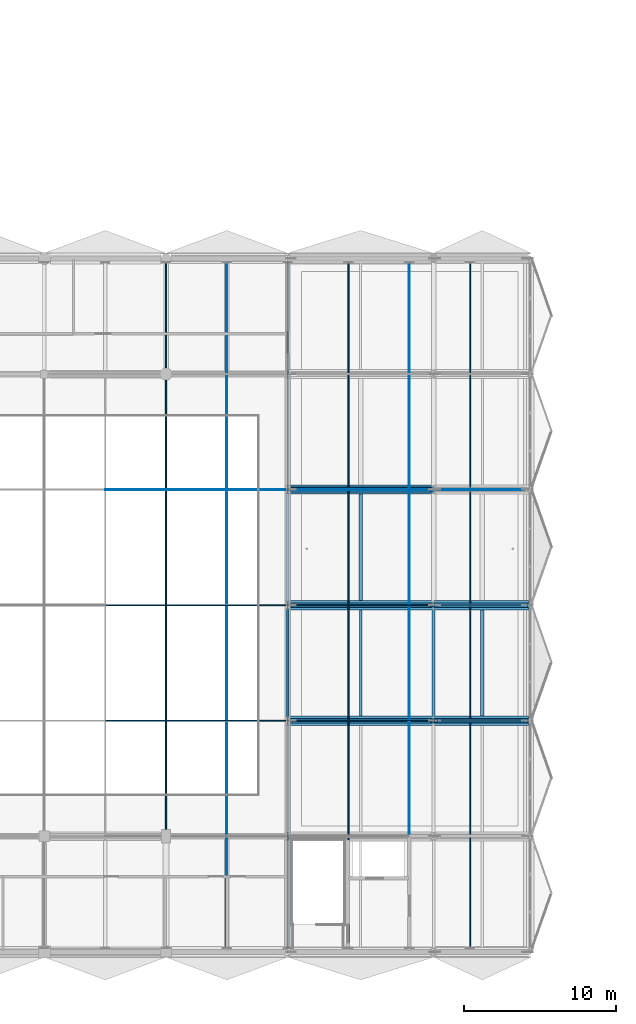
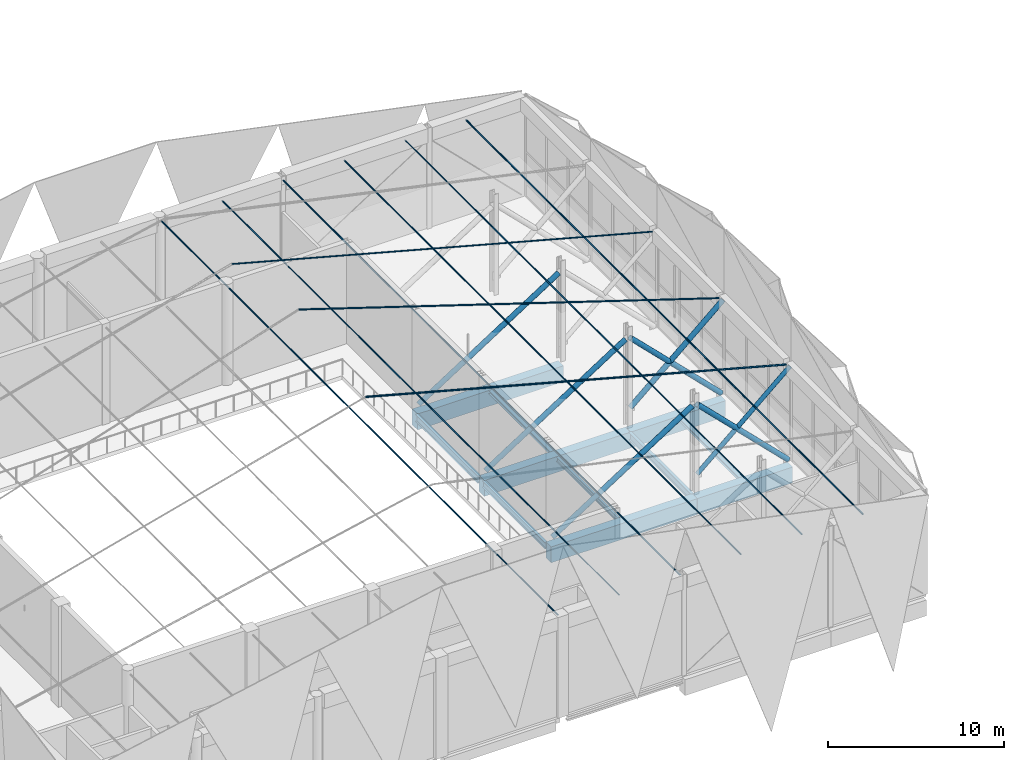
# One storey, part 8 of 46: 16 members, 11 beams.
"""IFC4 building model written with IfcOpenShell, lengths in metres."""

from ifc_helpers import new_model, si_unit, direction, frame, origin, origin_2d, place, context, subcontext, project, spatial, rectangle, circle, hollow_circle, i_section, extrude, material, material_profile, profile_set, type_object, element, save


model = new_model("IFC4")

# Units and contexts
model_context = context("Model", 3, precision=1e-05, world=origin(), true_north=direction((0.0, 1.0)))
body_context = subcontext(model_context, "Body", "Model", "MODEL_VIEW")
ifc_project = project(units=[si_unit("LENGTHUNIT", "METRE"), si_unit("AREAUNIT", "SQUARE_METRE"), si_unit("VOLUMEUNIT", "CUBIC_METRE"), si_unit("PLANEANGLEUNIT", "RADIAN"), si_unit("MASSUNIT", "GRAM", prefix="KILO")], contexts=[model_context])

# Site, building, storey
site_placement = place(None, origin())
site = spatial("IfcSite", under=ifc_project, at=site_placement, CompositionType="ELEMENT")
building_placement = place(site_placement, origin())
building = spatial("IfcBuilding", under=site, at=building_placement, Name="Khelvaren Railside Concert Hall", CompositionType="ELEMENT")
storey_placement = place(building_placement, frame((0.0, 0.0, 19.800048828125)))
storey = spatial("IfcBuildingStorey", under=building, at=storey_placement, Name="L04", CompositionType="ELEMENT", Elevation=19.800048828125)

# Beams
ifc_material_1 = material(Name="Steel S355", Category="steel")
ifc_material_profile_1 = material_profile(ifc_material_1, i_section(OverallWidth=0.199951171875, OverallDepth=0.5, WebThickness=0.01025390625, FlangeThickness=0.01611328125, FilletRadius=0.02099609375, at=origin_2d()), Name="IPE 500")
ifc_profile_set_1 = profile_set([ifc_material_profile_1], Name="Steel S355")
beam_type_1 = type_object("IfcBeamType", Name="BM62", PredefinedType="BEAM", material=ifc_profile_set_1)
beam_1_placement = place(storey_placement, frame((40.0, 23.050048828125, -0.52001953125), z_axis=(0.0, 1.0, 0.0), x_axis=(-1.0, 0.0, 0.0)))
element("IfcBeam", 1, at=beam_1_placement, inside=storey, type_object=beam_type_1, Name="V1 L04 Beam Y6.4", PredefinedType="BEAM", context=body_context, shape_type="SweptSolid", body=[
    extrude(i_section(OverallWidth=0.199951171875, OverallDepth=0.5, WebThickness=0.01025390625, FlangeThickness=0.01611328125, FilletRadius=0.02099609375, at=origin_2d()), origin(), (0.0, 0.0, 1.0), 7.099853515625),
])
beam_2_placement = place(storey_placement, frame((49.60009765625, 15.449951171875, -0.52001953125), z_axis=(0.0, 1.0, 0.0), x_axis=(-1.0, 0.0, 0.0)))
element("IfcBeam", 2, at=beam_2_placement, inside=storey, type_object=beam_type_1, Name="V1 L04 Beam Y7.3", PredefinedType="BEAM", context=body_context, shape_type="SweptSolid", body=[
    extrude(i_section(OverallWidth=0.199951171875, OverallDepth=0.5, WebThickness=0.01025390625, FlangeThickness=0.01611328125, FilletRadius=0.02099609375, at=origin_2d()), origin(), (0.0, 0.0, 1.0), 7.10009765625),
])
ifc_material_profile_2 = material_profile(ifc_material_1, i_section(OverallWidth=0.18994140625, OverallDepth=0.449951171875, WebThickness=0.009521484375, FlangeThickness=0.0146484375, FilletRadius=0.02099609375, at=origin_2d()), Name="IPE 450")
ifc_profile_set_2 = profile_set([ifc_material_profile_2], Name="Steel S355")
beam_type_2 = type_object("IfcBeamType", Name="BM95", PredefinedType="BEAM", material=ifc_profile_set_2)
beam_3_placement = place(storey_placement, frame((40.0, 15.449951171875, -0.4951171875), z_axis=(0.0, 1.0, 0.0), x_axis=(-1.0, 0.0, 0.0)))
element("IfcBeam", 3, at=beam_3_placement, inside=storey, type_object=beam_type_2, Name="V1 L04 Beam Y6.3", PredefinedType="BEAM", context=body_context, shape_type="SweptSolid", body=[
    extrude(i_section(OverallWidth=0.18994140625, OverallDepth=0.449951171875, WebThickness=0.009521484375, FlangeThickness=0.0146484375, FilletRadius=0.02099609375, at=origin_2d()), origin(), (0.0, 0.0, 1.0), 7.10009765625),
])

# Members
ifc_material_profile_3 = material_profile(ifc_material_1, hollow_circle(Radius=0.161865234375, WallThickness=0.01611328125, at=origin_2d()), Name="CHS 323.9x16")
ifc_profile_set_3 = profile_set([ifc_material_profile_3], Name="Steel S355")
member_type_1 = type_object("IfcMemberType", Name="BR78", PredefinedType="BRACE", material=ifc_profile_set_3)
member_1_placement = place(storey_placement, frame((49.75, 15.199951171875, 6.050048828125), z_axis=(0.710072403589, 0.0, -0.704128668399), x_axis=(0.0, 1.0, 0.0)))
element("IfcMember", 4, at=member_1_placement, inside=storey, type_object=member_type_1, Name="V1 L04 Plaza Cantilever Truss Diagonal 3A", PredefinedType="BRACE", context=body_context, shape_type="SweptSolid", body=[
    extrude(hollow_circle(Radius=0.161865234375, WallThickness=0.01611328125, at=origin_2d()), origin(), (0.0, 0.0, 1.0), 8.37939453125),
])
member_2_placement = place(storey_placement, frame((40.25, 15.199951171875, 0.14990234375), z_axis=(0.841765139868, 0.0, 0.539843911981), x_axis=(0.0, 1.0, 0.0)))
element("IfcMember", 5, at=member_2_placement, inside=storey, type_object=member_type_1, Name="V1 L04 Plaza Cantilever Truss Backspan Diagonal 3B", PredefinedType="BRACE", context=body_context, shape_type="SweptSolid", body=[
    extrude(hollow_circle(Radius=0.161865234375, WallThickness=0.01611328125, at=origin_2d()), origin(), (0.0, 0.0, 1.0), 10.929443359375),
])
member_3_placement = place(storey_placement, frame((49.75, 22.800048828125, 6.050048828125), z_axis=(0.710072403589, 0.0, -0.704128668399), x_axis=(0.0, 1.0, 0.0)))
element("IfcMember", 6, at=member_3_placement, inside=storey, type_object=member_type_1, Name="V1 L04 Plaza Cantilever Truss Diagonal 4A", PredefinedType="BRACE", context=body_context, shape_type="SweptSolid", body=[
    extrude(hollow_circle(Radius=0.161865234375, WallThickness=0.01611328125, at=origin_2d()), origin(), (0.0, 0.0, 1.0), 8.37939453125),
])
for number, where, z_axis, x_axis, name in (
    (7, (40.25, 22.800048828125, 0.14990234375), (0.841765139868, 0.0, 0.539843911981), (0.0, 1.0, 0.0), "V1 L04 Plaza Cantilever Truss Backspan Diagonal 4B"),
    (8, (40.25, 30.39990234375, 0.14990234375), (0.841765139868, 0.0, 0.539843911981), (0.0, 1.0, 0.0), "V1 L04 Plaza Cantilever Truss Backspan Diagonal 5B"),
):
    element("IfcMember", number, at=place(storey_placement, frame(where, z_axis=z_axis, x_axis=x_axis)), inside=storey, type_object=member_type_1, Name=name, PredefinedType="BRACE", context=body_context, shape_type="SweptSolid", body=[
        extrude(hollow_circle(Radius=0.161865234375, WallThickness=0.01611328125, at=origin_2d()), origin(), (0.0, 0.0, 1.0), 10.929443359375),
    ])

# Beams
ifc_material_2 = material(Name="Concrete C40/50", Category="concrete")
ifc_material_profile_4 = material_profile(ifc_material_2, rectangle(XDim=0.60009765625, YDim=1.10009765625, at=origin_2d()), Name="RCB 600x1100")
ifc_profile_set_4 = profile_set([ifc_material_profile_4], Name="Concrete C40/50")
beam_type_3 = type_object("IfcBeamType", Name="GR15", PredefinedType="T_BEAM", material=ifc_profile_set_4)
beam_4_placement = place(storey_placement, frame((40.010009765625, 15.199951171875, -0.820068359375), z_axis=(1.0, 0.0, 0.0), x_axis=(0.0, 1.0, 0.0)))
element("IfcBeam", 9, at=beam_4_placement, inside=storey, type_object=beam_type_3, Name="V1 L04 Cantilever Backspan Girder 3", PredefinedType="T_BEAM", context=body_context, shape_type="SweptSolid", body=[
    extrude(rectangle(XDim=0.60009765625, YDim=1.10009765625, at=origin_2d()), origin(), (0.0, 0.0, 1.0), 9.580078125),
])
beam_5_placement = place(storey_placement, frame((49.610107421875, 15.199951171875, -0.820068359375), z_axis=(1.0, 0.0, 0.0), x_axis=(0.0, 1.0, 0.0)))
element("IfcBeam", 10, at=beam_5_placement, inside=storey, type_object=beam_type_3, Name="V1 L04 Arrival Cantilever Girder 3", PredefinedType="T_BEAM", context=body_context, shape_type="SweptSolid", body=[
    extrude(rectangle(XDim=0.60009765625, YDim=1.10009765625, at=origin_2d()), origin(), (0.0, 0.0, 1.0), 6.239990234375),
])
beam_6_placement = place(storey_placement, frame((40.010009765625, 22.800048828125, -0.820068359375), z_axis=(1.0, 0.0, 0.0), x_axis=(0.0, 1.0, 0.0)))
element("IfcBeam", 11, at=beam_6_placement, inside=storey, type_object=beam_type_3, Name="V1 L04 Cantilever Backspan Girder 4", PredefinedType="T_BEAM", context=body_context, shape_type="SweptSolid", body=[
    extrude(rectangle(XDim=0.60009765625, YDim=1.10009765625, at=origin_2d()), origin(), (0.0, 0.0, 1.0), 9.580078125),
])
beam_7_placement = place(storey_placement, frame((49.610107421875, 22.800048828125, -0.820068359375), z_axis=(1.0, 0.0, 0.0), x_axis=(0.0, 1.0, 0.0)))
element("IfcBeam", 12, at=beam_7_placement, inside=storey, type_object=beam_type_3, Name="V1 L04 Arrival Cantilever Girder 4", PredefinedType="T_BEAM", context=body_context, shape_type="SweptSolid", body=[
    extrude(rectangle(XDim=0.60009765625, YDim=1.10009765625, at=origin_2d()), origin(), (0.0, 0.0, 1.0), 6.239990234375),
])
beam_8_placement = place(storey_placement, frame((40.010009765625, 30.39990234375, -0.820068359375), z_axis=(1.0, 0.0, 0.0), x_axis=(0.0, 1.0, 0.0)))
element("IfcBeam", 13, at=beam_8_placement, inside=storey, type_object=beam_type_3, Name="V1 L04 Cantilever Backspan Girder 5", PredefinedType="T_BEAM", context=body_context, shape_type="SweptSolid", body=[
    extrude(rectangle(XDim=0.60009765625, YDim=1.10009765625, at=origin_2d()), origin(), (0.0, 0.0, 1.0), 9.580078125),
])
ifc_material_profile_5 = material_profile(ifc_material_1, i_section(OverallWidth=0.159912109375, OverallDepth=0.330078125, WebThickness=0.007568359375, FlangeThickness=0.011474609375, FilletRadius=0.01806640625, at=origin_2d()), Name="IPE 330")
ifc_profile_set_5 = profile_set([ifc_material_profile_5], Name="Steel S355")
beam_type_4 = type_object("IfcBeamType", Name="JS65", PredefinedType="JOIST", material=ifc_profile_set_5)
beam_9_placement = place(storey_placement, frame((44.800048828125, 15.5, -0.43505859375), z_axis=(0.0, 1.0, 0.0), x_axis=(-1.0, 0.0, 0.0)))
element("IfcBeam", 14, at=beam_9_placement, inside=storey, type_object=beam_type_4, Name="V1 L04 Secondary Joist 6.3", PredefinedType="JOIST", context=body_context, shape_type="SweptSolid", body=[
    extrude(i_section(OverallWidth=0.159912109375, OverallDepth=0.330078125, WebThickness=0.007568359375, FlangeThickness=0.011474609375, FilletRadius=0.01806640625, at=origin_2d()), origin(), (0.0, 0.0, 1.0), 7.0),
])
ifc_material_profile_6 = material_profile(ifc_material_1, i_section(OverallWidth=0.239990234375, OverallDepth=0.22998046875, WebThickness=0.007568359375, FlangeThickness=0.011962890625, FilletRadius=0.02099609375, at=origin_2d()), Name="HEA 240")
ifc_profile_set_6 = profile_set([ifc_material_profile_6], Name="Steel S355")
beam_type_5 = type_object("IfcBeamType", Name="JS76", PredefinedType="JOIST", material=ifc_profile_set_6)
for number, where, z_axis, x_axis, name in (
    (15, (44.800048828125, 23.10009765625, -0.385009765625), (0.0, 1.0, 0.0), (-1.0, 0.0, 0.0), "V1 L04 Secondary Joist 6.4"),
    (16, (52.800048828125, 15.5, -0.385009765625), (0.0, 1.0, 0.0), (-1.0, 0.0, 0.0), "V1 L04 Secondary Joist 7.3"),
):
    element("IfcBeam", number, at=place(storey_placement, frame(where, z_axis=z_axis, x_axis=x_axis)), inside=storey, type_object=beam_type_5, Name=name, PredefinedType="JOIST", context=body_context, shape_type="SweptSolid", body=[
        extrude(i_section(OverallWidth=0.239990234375, OverallDepth=0.22998046875, WebThickness=0.007568359375, FlangeThickness=0.011962890625, FilletRadius=0.02099609375, at=origin_2d()), origin(), (0.0, 0.0, 1.0), 7.0),
    ])

# Members
ifc_material_profile_7 = material_profile(ifc_material_1, hollow_circle(Radius=0.161865234375, WallThickness=0.01611328125, at=origin_2d()), Name="CHS 323.9x16")
ifc_profile_set_7 = profile_set([ifc_material_profile_7], Name="Steel S355")
member_type_2 = type_object("IfcMemberType", Name="RSU41", PredefinedType="STRUT", material=ifc_profile_set_7)
member_4_placement = place(storey_placement, frame((49.75, 22.800048828125, 1.199951171875), z_axis=(0.75181197221, 0.0, 0.65937755379), x_axis=(0.0, 1.0, 0.0)))
element("IfcMember", 17, at=member_4_placement, inside=storey, type_object=member_type_2, Name="Main Hall East Cantilever Ring Strut 4", PredefinedType="STRUT", context=body_context, shape_type="SweptSolid", body=[
    extrude(hollow_circle(Radius=0.161865234375, WallThickness=0.01611328125, at=origin_2d()), origin(), (0.0, 0.0, 1.0), 8.11376953125),
])
ifc_material_profile_8 = material_profile(ifc_material_1, hollow_circle(Radius=0.136474609375, WallThickness=0.01611328125, at=origin_2d()), Name="CHS 273x16")
ifc_profile_set_8 = profile_set([ifc_material_profile_8], Name="Steel S355")
member_type_3 = type_object("IfcMemberType", Name="RSU43", PredefinedType="STRUT", material=ifc_profile_set_8)
member_5_placement = place(storey_placement, frame((49.75, 15.199951171875, 1.199951171875), z_axis=(0.75181197221, 0.0, 0.65937755379), x_axis=(0.0, 1.0, 0.0)))
element("IfcMember", 18, at=member_5_placement, inside=storey, type_object=member_type_3, Name="Main Hall East Cantilever Ring Strut 3", PredefinedType="STRUT", context=body_context, shape_type="SweptSolid", body=[
    extrude(hollow_circle(Radius=0.136474609375, WallThickness=0.01611328125, at=origin_2d()), origin(), (0.0, 0.0, 1.0), 8.11376953125),
])
ifc_material_3 = material(Name="High-strength steel cable S460", Category="steel")
ifc_material_profile_9 = material_profile(ifc_material_3, circle(Radius=0.047607421875, at=origin_2d()), Name="LCB D95")
ifc_profile_set_9 = profile_set([ifc_material_profile_9], Name="High-strength steel cable S460")
member_type_4 = type_object("IfcMemberType", Name="TC16", PredefinedType="USERDEFINED", material=ifc_profile_set_9)
for number, where, z_axis, x_axis, name in (
    (19, (32.0, 0.25, 6.699951171875), (0.0, 1.0, 0.0), (-1.0, 0.0, 0.0), "Main Hall Cable-Net Primary Tension Cable 8"),
    (20, (44.0, 0.25, 6.699951171875), (0.0, 1.0, 0.0), (-1.0, 0.0, 0.0), "Main Hall Cable-Net Primary Tension Cable 11"),
):
    element("IfcMember", number, at=place(storey_placement, frame(where, z_axis=z_axis, x_axis=x_axis)), inside=storey, type_object=member_type_4, Name=name, ObjectType="TENSION CABLE", PredefinedType="USERDEFINED", context=body_context, shape_type="SweptSolid", body=[
        extrude(circle(Radius=0.047607421875, at=origin_2d()), origin(), (0.0, 0.0, 1.0), 45.10009765625),
    ])
member_6_placement = place(storey_placement, frame((28.0, 15.199951171875, 14.166015625), z_axis=(0.965745462683, 0.0, -0.259491235511), x_axis=(0.0, 1.0, 0.0)))
element("IfcMember", 21, at=member_6_placement, inside=storey, type_object=member_type_4, Name="Main Hall Cable-Net Longitudinal Stay Cable 17", ObjectType="TENSION CABLE", PredefinedType="USERDEFINED", context=body_context, shape_type="SweptSolid", body=[
    extrude(circle(Radius=0.047607421875, at=origin_2d()), origin(), (0.0, 0.0, 1.0), 28.5791015625),
])
ifc_material_profile_10 = material_profile(ifc_material_3, circle(Radius=0.0400390625, at=origin_2d()), Name="LCB D80")
ifc_profile_set_10 = profile_set([ifc_material_profile_10], Name="High-strength steel cable S460")
member_type_5 = type_object("IfcMemberType", Name="TC51", PredefinedType="USERDEFINED", material=ifc_profile_set_10)
for number, where, z_axis, x_axis, name in (
    (22, (40.0, 0.25, 6.699951171875), (0.0, 1.0, 0.0), (-1.0, 0.0, 0.0), "Main Hall Cable-Net Primary Tension Cable 10"),
    (23, (52.0, 0.25, 6.699951171875), (0.0, 1.0, 0.0), (-1.0, 0.0, 0.0), "Main Hall Cable-Net Primary Tension Cable 13"),
):
    element("IfcMember", number, at=place(storey_placement, frame(where, z_axis=z_axis, x_axis=x_axis)), inside=storey, type_object=member_type_5, Name=name, ObjectType="TENSION CABLE", PredefinedType="USERDEFINED", context=body_context, shape_type="SweptSolid", body=[
        extrude(circle(Radius=0.0400390625, at=origin_2d()), origin(), (0.0, 0.0, 1.0), 45.10009765625),
    ])
member_7_placement = place(storey_placement, frame((28.0, 22.800048828125, 15.619873046875), z_axis=(0.952044507194, 0.0, -0.305959566483), x_axis=(0.0, 1.0, 0.0)))
element("IfcMember", 24, at=member_7_placement, inside=storey, type_object=member_type_5, Name="Main Hall Cable-Net Longitudinal Stay Cable 19", ObjectType="TENSION CABLE", PredefinedType="USERDEFINED", context=body_context, shape_type="SweptSolid", body=[
    extrude(circle(Radius=0.0400390625, at=origin_2d()), origin(), (0.0, 0.0, 1.0), 28.990234375),
])
ifc_material_profile_11 = material_profile(ifc_material_3, circle(Radius=0.032470703125, at=origin_2d()), Name="LCB D65")
ifc_profile_set_11 = profile_set([ifc_material_profile_11], Name="High-strength steel cable S460")
member_type_6 = type_object("IfcMemberType", Name="TC89", PredefinedType="USERDEFINED", material=ifc_profile_set_11)
for number, where, z_axis, x_axis, name in (
    (25, (36.0, 0.25, 6.699951171875), (0.0, 1.0, 0.0), (-1.0, 0.0, 0.0), "Main Hall Cable-Net Primary Tension Cable 9"),
    (26, (48.0, 0.25, 6.699951171875), (0.0, 1.0, 0.0), (-1.0, 0.0, 0.0), "Main Hall Cable-Net Primary Tension Cable 12"),
):
    element("IfcMember", number, at=place(storey_placement, frame(where, z_axis=z_axis, x_axis=x_axis)), inside=storey, type_object=member_type_6, Name=name, ObjectType="TENSION CABLE", PredefinedType="USERDEFINED", context=body_context, shape_type="SweptSolid", body=[
        extrude(circle(Radius=0.032470703125, at=origin_2d()), origin(), (0.0, 0.0, 1.0), 45.10009765625),
    ])
member_8_placement = place(storey_placement, frame((28.0, 30.39990234375, 14.166015625), z_axis=(0.965745462683, 0.0, -0.259491235511), x_axis=(0.0, 1.0, 0.0)))
element("IfcMember", 27, at=member_8_placement, inside=storey, type_object=member_type_6, Name="Main Hall Cable-Net Longitudinal Stay Cable 21", ObjectType="TENSION CABLE", PredefinedType="USERDEFINED", context=body_context, shape_type="SweptSolid", body=[
    extrude(circle(Radius=0.032470703125, at=origin_2d()), origin(), (0.0, 0.0, 1.0), 28.5791015625),
])

save(model, "model.ifc")
